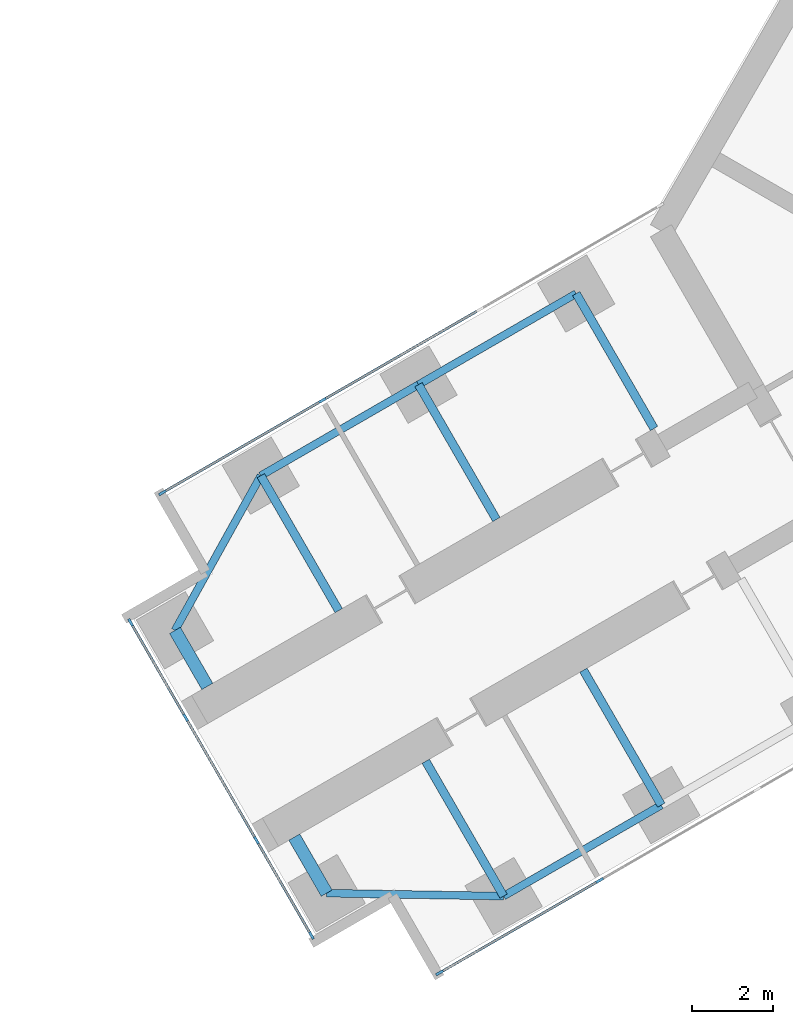
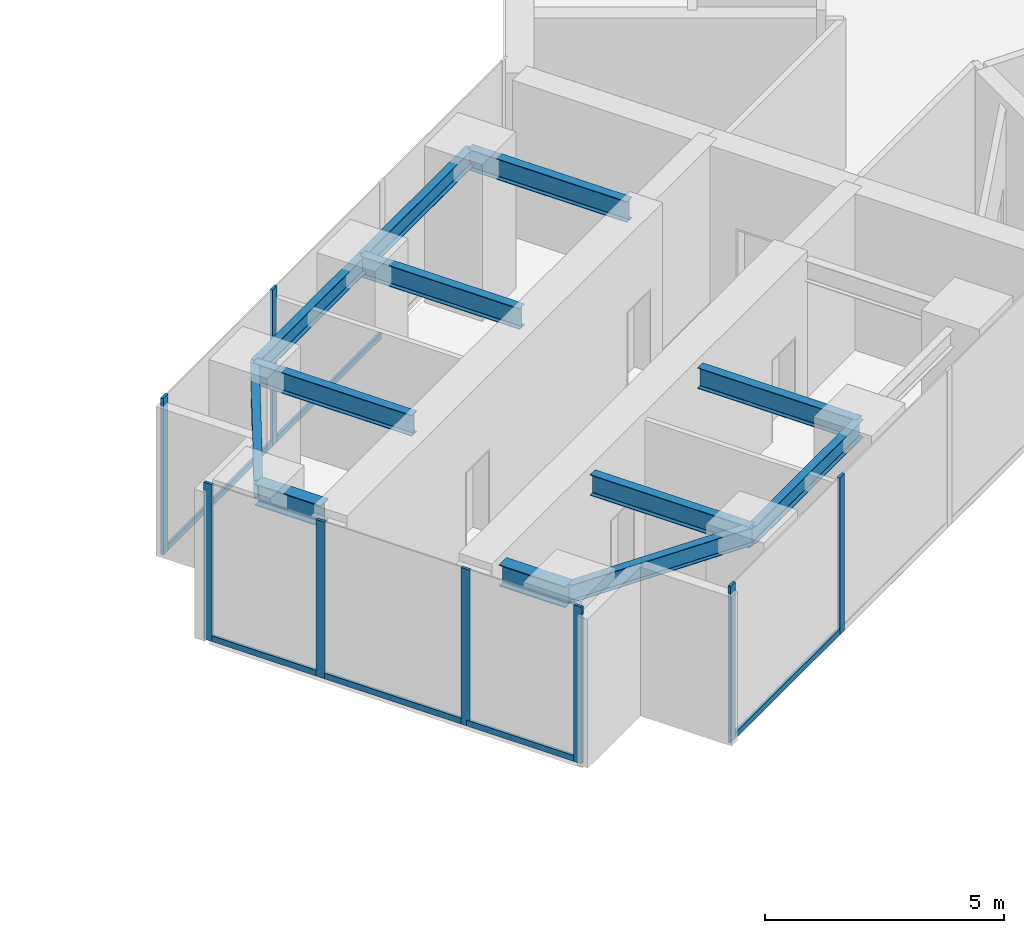
# One storey, part 3 of 22: 14 members, 12 beams, 3 elements without a shape of their own.
"""IFC4 building model written with IfcOpenShell, lengths in metres."""

from ifc_helpers import new_model, si_unit, direction, frame, origin, origin_2d, place, context, subcontext, project, spatial, rectangle, i_section, extrude, material, material_profile, profile_set, type_object, element, aggregate, save


model = new_model("IFC4")

# Units and contexts
model_context = context("Model", 3, precision=1e-05, world=origin(), true_north=direction((0.0, 1.0)))
body_context = subcontext(model_context, "Body", "Model", "MODEL_VIEW")
ifc_project = project(units=[si_unit("LENGTHUNIT", "METRE"), si_unit("AREAUNIT", "SQUARE_METRE"), si_unit("VOLUMEUNIT", "CUBIC_METRE"), si_unit("PLANEANGLEUNIT", "RADIAN"), si_unit("MASSUNIT", "GRAM", prefix="KILO")], contexts=[model_context])

# Site, building, storey
site_placement = place(None, origin())
site = spatial("IfcSite", under=ifc_project, at=site_placement, CompositionType="ELEMENT")
building_placement = place(site_placement, origin())
building = spatial("IfcBuilding", under=site, at=building_placement, Name="Upepo Twin Towers", CompositionType="ELEMENT")
storey_placement = place(building_placement, frame((0.0, 0.0, 97.5)))
storey = spatial("IfcBuildingStorey", under=building, at=storey_placement, Name="L23", CompositionType="ELEMENT", Elevation=97.5)

# Beams
ifc_material_1 = material(Name="Steel S355", Category="steel")
ifc_material_profile_1 = material_profile(ifc_material_1, i_section(OverallWidth=0.1904296875, OverallDepth=0.45703125, WebThickness=0.009033203125, FlangeThickness=0.014404296875, FilletRadius=0.01025390625, at=origin_2d()), Name="UB 457x191x74")
ifc_profile_set_1 = profile_set([ifc_material_profile_1], Name="Steel S355")
beam_type_1 = type_object("IfcBeamType", Name="Beam UB 457x191x74", PredefinedType="BEAM", material=ifc_profile_set_1)
beam_1_placement = place(storey_placement, frame((45.91162109375, -32.196044921875, 3.571533203125), z_axis=(-0.866031096941, -0.499990139034, 0.0), x_axis=(0.499990139034, -0.866031096941, 0.0)))
element("IfcBeam", 1, at=beam_1_placement, inside=storey, type_object=beam_type_1, Name="T2 edge beam BL 18.0-22.5", PredefinedType="BEAM", context=body_context, shape_type="SweptSolid", body=[
    extrude(i_section(OverallWidth=0.1904296875, OverallDepth=0.45703125, WebThickness=0.009033203125, FlangeThickness=0.014404296875, FilletRadius=0.01025390625, at=origin_2d()), origin(), (0.0, 0.0, 1.0), 4.5),
])
beam_2_placement = place(storey_placement, frame((42.014404296875, -34.446044921875, 3.571533203125), z_axis=(-0.999858804832, 0.016803880528, 0.0), x_axis=(-0.016803880528, -0.999858804832, 0.0)))
element("IfcBeam", 2, at=beam_2_placement, inside=storey, type_object=beam_type_1, Name="T2 nose edge beam BL", PredefinedType="BEAM", context=body_context, shape_type="SweptSolid", body=[
    extrude(i_section(OverallWidth=0.1904296875, OverallDepth=0.45703125, WebThickness=0.009033203125, FlangeThickness=0.014404296875, FilletRadius=0.01025390625, at=origin_2d()), origin(), (0.0, 0.0, 1.0), 4.373291015625),
])
beam_3_placement = place(storey_placement, frame((43.80859375, -19.553955078125, 3.571533203125), z_axis=(-0.866017533419, -0.500013631625, 0.0), x_axis=(0.500013631625, -0.866017533419, 0.0)))
element("IfcBeam", 3, at=beam_3_placement, inside=storey, type_object=beam_type_1, Name="T2 edge beam BR 13.5-18.0", PredefinedType="BEAM", context=body_context, shape_type="SweptSolid", body=[
    extrude(i_section(OverallWidth=0.1904296875, OverallDepth=0.45703125, WebThickness=0.009033203125, FlangeThickness=0.014404296875, FilletRadius=0.01025390625, at=origin_2d()), origin(), (0.0, 0.0, 1.0), 4.499755859375),
])
beam_4_placement = place(storey_placement, frame((39.91162109375, -21.803955078125, 3.571533203125), z_axis=(-0.866031096941, -0.499990139034, 0.0), x_axis=(0.499990139034, -0.866031096941, 0.0)))
element("IfcBeam", 4, at=beam_4_placement, inside=storey, type_object=beam_type_1, Name="T2 edge beam BR 18.0-22.5", PredefinedType="BEAM", context=body_context, shape_type="SweptSolid", body=[
    extrude(i_section(OverallWidth=0.1904296875, OverallDepth=0.45703125, WebThickness=0.009033203125, FlangeThickness=0.014404296875, FilletRadius=0.01025390625, at=origin_2d()), origin(), (0.0, 0.0, 1.0), 4.5),
])
beam_5_placement = place(storey_placement, frame((36.014404296875, -24.053955078125, 3.571533203125), z_axis=(-0.485363242752, -0.874312600038, 0.0), x_axis=(0.874312600038, -0.485363242752, 0.0)))
element("IfcBeam", 5, at=beam_5_placement, inside=storey, type_object=beam_type_1, Name="T2 nose edge beam BR", PredefinedType="BEAM", context=body_context, shape_type="SweptSolid", body=[
    extrude(i_section(OverallWidth=0.1904296875, OverallDepth=0.45703125, WebThickness=0.009033203125, FlangeThickness=0.014404296875, FilletRadius=0.01025390625, at=origin_2d()), origin(), (0.0, 0.0, 1.0), 4.373046875),
])
ifc_material_2 = material(Name="Steel S355", Category="steel")
ifc_material_profile_2 = material_profile(ifc_material_2, i_section(OverallWidth=0.209228515625, OverallDepth=0.533203125, WebThickness=0.010009765625, FlangeThickness=0.015625, FilletRadius=0.0126953125, at=origin_2d()), Name="UB 533x210x92")
ifc_profile_set_2 = profile_set([ifc_material_profile_2], Name="Steel S355")
beam_type_2 = type_object("IfcBeamType", Name="Beam UB 533x210x92", PredefinedType="BEAM", material=ifc_profile_set_2)
for number, where, z_axis, x_axis, name in (
    (6, (45.91162109375, -32.196044921875, 3.533447265625), (-0.500033517596, 0.866006051527, 0.0), (-0.866006051527, -0.500033517596, 0.0), "T2 girder BL at 18.0"),
    (7, (42.014404296875, -34.446044921875, 3.533447265625), (-0.500033517596, 0.866006051527, 0.0), (-0.866006051527, -0.500033517596, 0.0), "T2 girder BL at 22.5"),
    (8, (43.80859375, -19.553955078125, 3.533447265625), (0.500033517596, -0.866006051527, 0.0), (0.866006051527, 0.500033517596, 0.0), "T2 girder BR at 13.5"),
):
    element("IfcBeam", number, at=place(storey_placement, frame(where, z_axis=z_axis, x_axis=x_axis)), inside=storey, type_object=beam_type_2, Name=name, PredefinedType="BEAM", context=body_context, shape_type="SweptSolid", body=[
        extrude(i_section(OverallWidth=0.209228515625, OverallDepth=0.533203125, WebThickness=0.010009765625, FlangeThickness=0.015625, FilletRadius=0.0126953125, at=origin_2d()), origin(), (0.0, 0.0, 1.0), 3.849853515625),
    ])
beam_6_placement = place(storey_placement, frame((39.91162109375, -21.803955078125, 3.533447265625), z_axis=(0.499985955615, -0.866033512162, 0.0), x_axis=(0.866033512162, 0.499985955615, 0.0)))
element("IfcBeam", 9, at=beam_6_placement, inside=storey, type_object=beam_type_2, Name="T2 girder BR at 18.0", PredefinedType="BEAM", context=body_context, shape_type="SweptSolid", body=[
    extrude(i_section(OverallWidth=0.209228515625, OverallDepth=0.533203125, WebThickness=0.010009765625, FlangeThickness=0.015625, FilletRadius=0.0126953125, at=origin_2d()), origin(), (0.0, 0.0, 1.0), 3.849609375),
])
beam_7_placement = place(storey_placement, frame((36.014404296875, -24.053955078125, 3.533447265625), z_axis=(0.500033517596, -0.866006051527, 0.0), x_axis=(0.866006051527, 0.500033517596, 0.0)))
element("IfcBeam", 10, at=beam_7_placement, inside=storey, type_object=beam_type_2, Name="T2 girder BR at 22.5", PredefinedType="BEAM", context=body_context, shape_type="SweptSolid", body=[
    extrude(i_section(OverallWidth=0.209228515625, OverallDepth=0.533203125, WebThickness=0.010009765625, FlangeThickness=0.015625, FilletRadius=0.0126953125, at=origin_2d()), origin(), (0.0, 0.0, 1.0), 3.849853515625),
])
ifc_material_3 = material(Name="Steel S355", Category="steel")
ifc_material_profile_3 = material_profile(ifc_material_3, i_section(OverallWidth=0.31201171875, OverallDepth=0.54345703125, WebThickness=0.0126953125, FlangeThickness=0.020263671875, FilletRadius=0.0126953125, at=origin_2d()), Name="UB 533x312x150")
ifc_profile_set_3 = profile_set([ifc_material_profile_3], Name="Steel S355")
beam_type_3 = type_object("IfcBeamType", Name="Beam UB 533x312x150", PredefinedType="BEAM", material=ifc_profile_set_3)
for number, where, z_axis, x_axis, name in (
    (11, (37.641845703125, -34.37255859375, 3.5283203125), (-0.500061482766, 0.865989903783, 0.0), (-0.865989903783, -0.500061482766, 0.0), "T2 nose beam BL"),
    (12, (33.891845703125, -27.87744140625, 3.5283203125), (0.500061482766, -0.865989903783, 0.0), (0.865989903783, 0.500061482766, 0.0), "T2 nose beam BR"),
):
    element("IfcBeam", number, at=place(storey_placement, frame(where, z_axis=z_axis, x_axis=x_axis)), inside=storey, type_object=beam_type_3, Name=name, PredefinedType="BEAM", context=body_context, shape_type="SweptSolid", body=[
        extrude(i_section(OverallWidth=0.31201171875, OverallDepth=0.54345703125, WebThickness=0.0126953125, FlangeThickness=0.020263671875, FilletRadius=0.0126953125, at=origin_2d()), origin(), (0.0, 0.0, 1.0), 1.599853515625),
    ])

# Curtain wall, members
ifc_material_4 = material(Name="Aluminium and fritted glass", Category="aluminium")
curtain_wall_type = type_object("IfcCurtainWallType", Name="Tower curtain wall TW2, fritted glass", PredefinedType="NOTDEFINED", material=ifc_material_4)
curtain_wall_1_placement = place(storey_placement, origin())
curtain_wall_1 = element("IfcCurtainWall", 13, at=curtain_wall_1_placement, inside=storey, type_object=curtain_wall_type, Name="T2 L23 wing B flank L curtain wall", PredefinedType="NOTDEFINED")
ifc_material_5 = material(Name="Aluminium mullion", Category="aluminium")
ifc_material_profile_4 = material_profile(ifc_material_5, rectangle(XDim=0.06494140625, YDim=0.199951171875, at=origin_2d()), Name="MULLION 65x200")
ifc_profile_set_4 = profile_set([ifc_material_profile_4], Name="Aluminium mullion")
member_type_1 = type_object("IfcMemberType", Name="Mullion 65x200 TW2", PredefinedType="MULLION", material=ifc_profile_set_4)
member_1_placement = place(storey_placement, frame((44.387939453125, -34.057373046875, 0.0), z_axis=(0.0, 0.0, 1.0), x_axis=(0.500000010308, -0.866025397833, 0.0)))
member_1 = element("IfcMember", 14, at=member_1_placement, type_object=member_type_1, Name="T2 L23 wing B flank L curtain wall mullion 3", PredefinedType="MULLION", context=body_context, shape_type="SweptSolid", body=[
    extrude(rectangle(XDim=0.06494140625, YDim=0.199951171875, at=origin_2d()), origin(), (0.0, 0.0, 1.0), 4.0),
])
member_2_placement = place(storey_placement, frame((40.432373046875, -36.341064453125, 0.0), z_axis=(0.0, 0.0, 1.0), x_axis=(0.500000010308, -0.866025397833, 0.0)))
member_2 = element("IfcMember", 15, at=member_2_placement, type_object=member_type_1, Name="T2 L23 wing B flank L curtain wall mullion 4", PredefinedType="MULLION", context=body_context, shape_type="SweptSolid", body=[
    extrude(rectangle(XDim=0.06494140625, YDim=0.199951171875, at=origin_2d()), origin(), (0.0, 0.0, 1.0), 4.0),
])

curtain_wall_2_placement = place(storey_placement, origin())
curtain_wall_2 = element("IfcCurtainWall", 16, at=curtain_wall_2_placement, inside=storey, type_object=curtain_wall_type, Name="T2 L23 wing B flank R curtain wall", PredefinedType="NOTDEFINED")
member_3_placement = place(storey_placement, frame((33.58251953125, -24.4765625, 0.0), z_axis=(0.0, 0.0, 1.0), x_axis=(-0.500000010308, 0.866025397833, 0.0)))
member_3 = element("IfcMember", 17, at=member_3_placement, type_object=member_type_1, Name="T2 L23 wing B flank R curtain wall mullion 1", PredefinedType="MULLION", context=body_context, shape_type="SweptSolid", body=[
    extrude(rectangle(XDim=0.06494140625, YDim=0.199951171875, at=origin_2d()), origin(), (0.0, 0.0, 1.0), 4.0),
])
member_4_placement = place(storey_placement, frame((37.5380859375, -22.192626953125, 0.0), z_axis=(0.0, 0.0, 1.0), x_axis=(-0.500000010308, 0.866025397833, 0.0)))
member_4 = element("IfcMember", 18, at=member_4_placement, type_object=member_type_1, Name="T2 L23 wing B flank R curtain wall mullion 2", PredefinedType="MULLION", context=body_context, shape_type="SweptSolid", body=[
    extrude(rectangle(XDim=0.06494140625, YDim=0.199951171875, at=origin_2d()), origin(), (0.0, 0.0, 1.0), 4.0),
])

curtain_wall_3_placement = place(storey_placement, origin())
curtain_wall_3 = element("IfcCurtainWall", 19, at=curtain_wall_3_placement, inside=storey, type_object=curtain_wall_type, Name="T2 L23 wing B nose curtain wall", PredefinedType="NOTDEFINED")
member_5_placement = place(storey_placement, frame((32.796875, -27.68115234375, 0.0), z_axis=(0.0, 0.0, 1.0), x_axis=(0.866025386174, 0.500000030502, 0.0)))
member_5 = element("IfcMember", 20, at=member_5_placement, type_object=member_type_1, Name="T2 L23 wing B nose curtain wall mullion 1", PredefinedType="MULLION", context=body_context, shape_type="SweptSolid", body=[
    extrude(rectangle(XDim=0.06494140625, YDim=0.199951171875, at=origin_2d()), origin(), (0.0, 0.0, 1.0), 4.0),
])
member_6_placement = place(storey_placement, frame((34.15576171875, -30.034423828125, 0.0), z_axis=(0.0, 0.0, 1.0), x_axis=(0.866025386174, 0.500000030502, 0.0)))
member_6 = element("IfcMember", 21, at=member_6_placement, type_object=member_type_1, Name="T2 L23 wing B nose curtain wall mullion 2", PredefinedType="MULLION", context=body_context, shape_type="SweptSolid", body=[
    extrude(rectangle(XDim=0.06494140625, YDim=0.199951171875, at=origin_2d()), origin(), (0.0, 0.0, 1.0), 4.0),
])
member_7_placement = place(storey_placement, frame((35.90576171875, -33.0654296875, 0.0), z_axis=(0.0, 0.0, 1.0), x_axis=(0.866025386174, 0.500000030502, 0.0)))
member_7 = element("IfcMember", 22, at=member_7_placement, type_object=member_type_1, Name="T2 L23 wing B nose curtain wall mullion 3", PredefinedType="MULLION", context=body_context, shape_type="SweptSolid", body=[
    extrude(rectangle(XDim=0.06494140625, YDim=0.199951171875, at=origin_2d()), origin(), (0.0, 0.0, 1.0), 4.0),
])
member_8_placement = place(storey_placement, frame((37.264404296875, -35.4189453125, 0.0), z_axis=(0.0, 0.0, 1.0), x_axis=(0.866025386174, 0.500000030502, 0.0)))
member_8 = element("IfcMember", 23, at=member_8_placement, type_object=member_type_1, Name="T2 L23 wing B nose curtain wall mullion 4", PredefinedType="MULLION", context=body_context, shape_type="SweptSolid", body=[
    extrude(rectangle(XDim=0.06494140625, YDim=0.199951171875, at=origin_2d()), origin(), (0.0, 0.0, 1.0), 4.0),
])

# Member
ifc_material_6 = material(Name="Aluminium transom", Category="aluminium")
ifc_material_profile_5 = material_profile(ifc_material_6, rectangle(XDim=0.06494140625, YDim=0.14990234375, at=origin_2d()), Name="TRANSOM 65x150")
ifc_profile_set_5 = profile_set([ifc_material_profile_5], Name="Aluminium transom")
member_type_2 = type_object("IfcMemberType", Name="Transom 65x150 TW2", PredefinedType="USERDEFINED", material=ifc_profile_set_5)
member_9_placement = place(storey_placement, frame((44.35986328125, -34.073486328125, 0.074951171875), z_axis=(-0.866035699072, -0.499982167615, 0.0), x_axis=(0.499982167615, -0.866035699072, 0.0)))
member_9 = element("IfcMember", 24, at=member_9_placement, type_object=member_type_2, Name="T2 L23 wing B flank L curtain wall transom 3", ObjectType="TRANSOM", PredefinedType="USERDEFINED", context=body_context, shape_type="SweptSolid", body=[
    extrude(rectangle(XDim=0.06494140625, YDim=0.14990234375, at=origin_2d()), origin(), (0.0, 0.0, 1.0), 4.502685546875),
])

aggregate(curtain_wall_1, [member_1, member_2, member_9])

member_10_placement = place(storey_placement, frame((33.610595703125, -24.460205078125, 0.074951171875), z_axis=(0.866022143554, 0.500005646842, 0.0), x_axis=(-0.500005646842, 0.866022143554, 0.0)))
member_10 = element("IfcMember", 25, at=member_10_placement, type_object=member_type_2, Name="T2 L23 wing B flank R curtain wall transom 1", ObjectType="TRANSOM", PredefinedType="USERDEFINED", context=body_context, shape_type="SweptSolid", body=[
    extrude(rectangle(XDim=0.06494140625, YDim=0.14990234375, at=origin_2d()), origin(), (0.0, 0.0, 1.0), 4.50244140625),
])

member_11_placement = place(storey_placement, frame((37.566162109375, -22.176513671875, 0.074951171875), z_axis=(0.866022410713, 0.500005184116, 0.0), x_axis=(-0.500005184116, 0.866022410713, 0.0)))
member_11 = element("IfcMember", 26, at=member_11_placement, type_object=member_type_2, Name="T2 L23 wing B flank R curtain wall transom 2", ObjectType="TRANSOM", PredefinedType="USERDEFINED", context=body_context, shape_type="SweptSolid", body=[
    extrude(rectangle(XDim=0.06494140625, YDim=0.14990234375, at=origin_2d()), origin(), (0.0, 0.0, 1.0), 4.43505859375),
])

aggregate(curtain_wall_2, [member_3, member_4, member_10, member_11])

member_12_placement = place(storey_placement, frame((32.813232421875, -27.709228515625, 0.074951171875), z_axis=(0.499980071345, -0.866036909293, 0.0), x_axis=(0.866036909293, 0.499980071345, 0.0)))
member_12 = element("IfcMember", 27, at=member_12_placement, type_object=member_type_2, Name="T2 L23 wing B nose curtain wall transom 1", ObjectType="TRANSOM", PredefinedType="USERDEFINED", context=body_context, shape_type="SweptSolid", body=[
    extrude(rectangle(XDim=0.06494140625, YDim=0.14990234375, at=origin_2d()), origin(), (0.0, 0.0, 1.0), 2.65234375),
])

member_13_placement = place(storey_placement, frame((34.171875, -30.0625, 0.074951171875), z_axis=(0.499999305434, -0.866025804792, 0.0), x_axis=(0.866025804792, 0.499999305434, 0.0)))
member_13 = element("IfcMember", 28, at=member_13_placement, type_object=member_type_2, Name="T2 L23 wing B nose curtain wall transom 2", ObjectType="TRANSOM", PredefinedType="USERDEFINED", context=body_context, shape_type="SweptSolid", body=[
    extrude(rectangle(XDim=0.06494140625, YDim=0.14990234375, at=origin_2d()), origin(), (0.0, 0.0, 1.0), 3.43505859375),
])

member_14_placement = place(storey_placement, frame((35.921875, -33.09375, 0.074951171875), z_axis=(0.500049101008, -0.865997053448, 0.0), x_axis=(0.865997053448, 0.500049101008, 0.0)))
member_14 = element("IfcMember", 29, at=member_14_placement, type_object=member_type_2, Name="T2 L23 wing B nose curtain wall transom 3", ObjectType="TRANSOM", PredefinedType="USERDEFINED", context=body_context, shape_type="SweptSolid", body=[
    extrude(rectangle(XDim=0.06494140625, YDim=0.14990234375, at=origin_2d()), origin(), (0.0, 0.0, 1.0), 2.652587890625),
])

aggregate(curtain_wall_3, [member_5, member_6, member_7, member_8, member_12, member_13, member_14])

save(model, "model.ifc")
